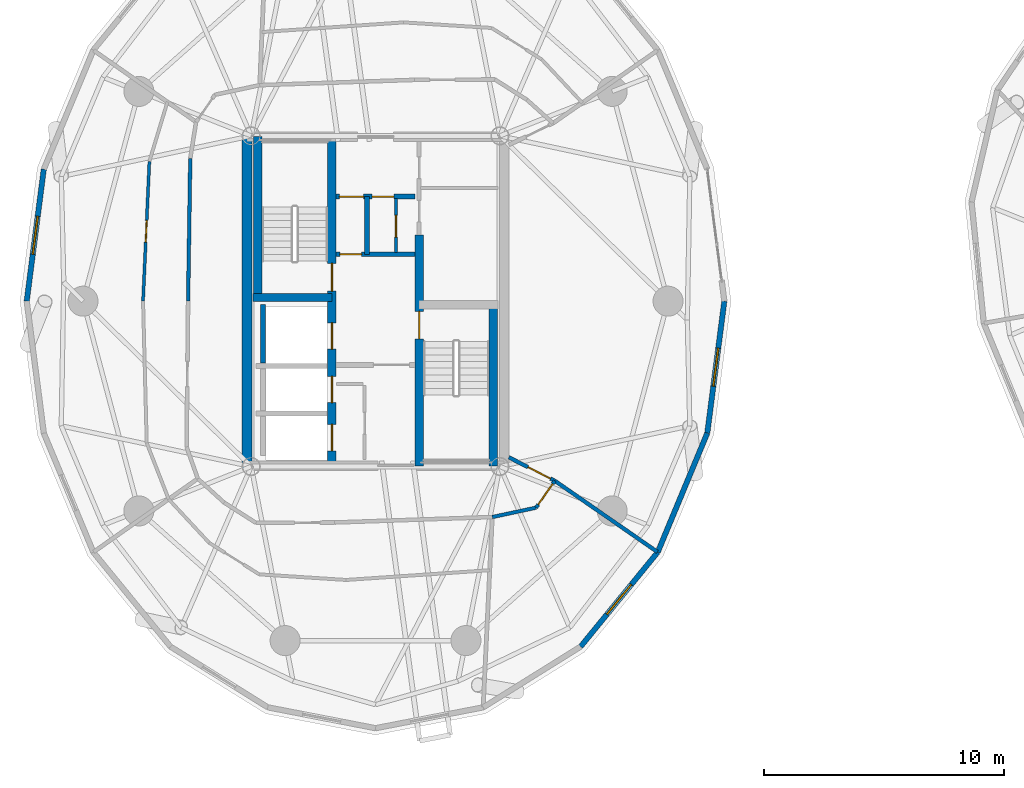
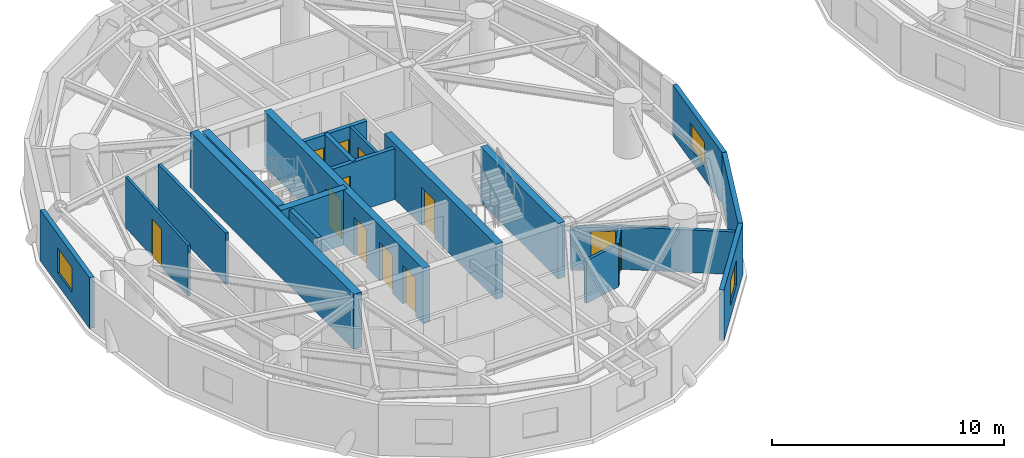
# One storey, part 10 of 17: 21 walls, 12 doors, 3 windows, 15 openings.
"""IFC4 building model written with IfcOpenShell, lengths in metres."""

from ifc_helpers import new_model, si_unit, direction, frame, frame_2d, origin, place, context, subcontext, project, spatial, rectangle, extrude, source, transform, mapped, material, layer, layer_set, type_object, element, fill, save


model = new_model("IFC4")

# Units and contexts
model_context = context("Model", 3, precision=1e-05, world=origin(), true_north=direction((0.0, 1.0)))
body_context = subcontext(model_context, "Body", "Model", "MODEL_VIEW")
ifc_project = project(units=[si_unit("LENGTHUNIT", "METRE"), si_unit("AREAUNIT", "SQUARE_METRE"), si_unit("VOLUMEUNIT", "CUBIC_METRE"), si_unit("PLANEANGLEUNIT", "RADIAN"), si_unit("MASSUNIT", "GRAM", prefix="KILO")], contexts=[model_context])

# Site, building, storey
site_placement = place(None, origin())
site = spatial("IfcSite", under=ifc_project, at=site_placement, CompositionType="ELEMENT")
building_placement = place(site_placement, origin())
building = spatial("IfcBuilding", under=site, at=building_placement, Name="Cununo Teusaquillo Station Towers", CompositionType="ELEMENT")
storey_placement = place(building_placement, frame((0.0, 0.0, 166.14990234375)))
storey = spatial("IfcBuildingStorey", under=building, at=storey_placement, Name="L52", CompositionType="ELEMENT", Elevation=166.14990234375)

# Wall
ifc_material_1 = material(Name="Concrete C50/60", Category="concrete")
ifc_layer_1 = layer(ifc_material_1, 0.199951171875)
ifc_layer_set_1 = layer_set([ifc_layer_1], Name="Concrete C50/60")
wall_type_1 = type_object("IfcWallType", Name="WL-CORE-200", PredefinedType="SHEAR", material=ifc_layer_set_1)
wall_1_placement = place(storey_placement, frame((11.820068359375, 21.919921875, 0.0), z_axis=(0.0, 0.0, 1.0), x_axis=(0.0, 1.0, 0.0)))
element("IfcWall", 1, at=wall_1_placement, inside=storey, type_object=wall_type_1, Name="L52 Tower A Firefighting Lift Shaft Rear Shear Wall", PredefinedType="SHEAR", context=body_context, shape_type="SweptSolid", body=[
    extrude(rectangle(XDim=2.440185546875, YDim=0.199951171875, at=frame_2d((1.22021484375, 0.0))), origin(), (0.0, 0.0, 1.0), 2.91015625),
])

# Wall, openings, doors
ifc_material_2 = material(Name="Concrete C50/60", Category="concrete")
ifc_layer_2 = layer(ifc_material_2, 0.35009765625)
ifc_layer_set_2 = layer_set([ifc_layer_2], Name="Concrete C50/60")
wall_type_2 = type_object("IfcWallType", Name="WL-CORE-350", PredefinedType="SHEAR", material=ifc_layer_set_2)
wall_2_placement = place(storey_placement, frame((14.68505859375, 17.64990234375, 0.0), z_axis=(0.0, 0.0, 1.0), x_axis=(0.0, 1.0, 0.0)))
wall_2 = element("IfcWall", 2, at=wall_2_placement, inside=storey, type_object=wall_type_2, Name="L52 Tower A Core Shear Wall IW", PredefinedType="SHEAR", context=body_context, shape_type="SweptSolid", body=[
    extrude(rectangle(XDim=13.7001953125, YDim=0.35009765625, at=frame_2d((6.85009765625, 0.0))), origin(), (0.0, 0.0, 1.0), 2.91015625),
])
shared_shape_1 = source(origin(), body_context, "Body", "SweptSolid", [
    extrude(rectangle(XDim=1.10009765625, YDim=2.014892578125, at=frame_2d((0.550048828125, 1.00732421875))), frame((0.0, 0.18505859375, 0.0), z_axis=(0.0, -1.0, 0.0), x_axis=(1.0, 0.0, 0.0)), (0.0, 0.0, 1.0), 0.3701171875),
])
opening_1_placement = place(wall_2_placement, frame((4.85009765625, 0.0, 0.0)))
opening_1 = element("IfcOpeningElement", 3, at=opening_1_placement, cuts=wall_2, Name="Opening LD-01", PredefinedType="OPENING", context=body_context, shape_type="MappedRepresentation", body=[
    mapped(shared_shape_1, transform((0.0, 0.0, 0.0), x_axis=(1.0, 0.0, 0.0), y_axis=(0.0, 1.0, 0.0), z_axis=(0.0, 0.0, 1.0), scale=1.0)),
])
opening_2_placement = place(wall_2_placement, frame((0.625, 0.0, 0.0)))
opening_2 = element("IfcOpeningElement", 4, at=opening_2_placement, cuts=wall_2, Name="Opening LD-01", PredefinedType="OPENING", context=body_context, shape_type="MappedRepresentation", body=[
    mapped(shared_shape_1, transform((0.0, 0.0, 0.0), x_axis=(1.0, 0.0, 0.0), y_axis=(0.0, 1.0, 0.0), z_axis=(0.0, 0.0, 1.0), scale=1.0)),
])
opening_3_placement = place(wall_2_placement, frame((2.625, 0.0, 0.0)))
opening_3 = element("IfcOpeningElement", 5, at=opening_3_placement, cuts=wall_2, Name="Opening LD-01", PredefinedType="OPENING", context=body_context, shape_type="MappedRepresentation", body=[
    mapped(shared_shape_1, transform((0.0, 0.0, 0.0), x_axis=(1.0, 0.0, 0.0), y_axis=(0.0, 1.0, 0.0), z_axis=(0.0, 0.0, 1.0), scale=1.0)),
])
shared_shape_2 = source(origin(), body_context, "Body", "SweptSolid", [
    extrude(rectangle(XDim=1.14990234375, YDim=2.02001953125, at=frame_2d((0.574951171875, 1.010009765625))), frame((0.0, 0.18505859375, 0.0), z_axis=(0.0, -1.0, 0.0), x_axis=(1.0, 0.0, 0.0)), (0.0, 0.0, 1.0), 0.3701171875),
])
opening_4_placement = place(wall_2_placement, frame((7.27001953125, 0.0, 0.0)))
opening_4 = element("IfcOpeningElement", 6, at=opening_4_placement, cuts=wall_2, Name="Opening D-ST1", PredefinedType="OPENING", context=body_context, shape_type="MappedRepresentation", body=[
    mapped(shared_shape_2, transform((0.0, 0.0, 0.0), x_axis=(1.0, 0.0, 0.0), y_axis=(0.0, 1.0, 0.0), z_axis=(0.0, 0.0, 1.0), scale=1.0)),
])
ifc_material_3 = material(Name="Galvanised fire-rated hollow steel door assembly", Category="steel")
door_type_1 = type_object("IfcDoorType", Name="DR-LIFT-1100", OperationType="SLIDING_TO_LEFT", PredefinedType="DOOR", material=ifc_material_3)
shared_shape_3 = source(origin(), body_context, "Body", "SweptSolid", [
    extrude(rectangle(XDim=1.10009765625, YDim=2.014892578125, at=frame_2d((0.550048828125, 1.00732421875))), frame((0.0, 0.02490234375, 0.0), z_axis=(0.0, -1.0, 0.0), x_axis=(1.0, 0.0, 0.0)), (0.0, 0.0, 1.0), 0.050048828125),
])
door_1_placement = place(opening_1_placement, origin())
door_1 = element("IfcDoor", 7, at=door_1_placement, inside=storey, type_object=door_type_1, Name="L52 Lift FL-T1 Sliding Landing Door", OperationType="SLIDING_TO_LEFT", OverallHeight=2.014892578125, OverallWidth=1.10009765625, PredefinedType="DOOR", context=body_context, shape_type="MappedRepresentation", body=[
    mapped(shared_shape_3, transform((0.0, 0.0, 0.0), x_axis=(1.0, 0.0, 0.0), y_axis=(0.0, 1.0, 0.0), z_axis=(0.0, 0.0, 1.0), scale=1.0)),
])
fill(opening_1, door_1)
door_2_placement = place(opening_2_placement, origin())
door_2 = element("IfcDoor", 8, at=door_2_placement, inside=storey, type_object=door_type_1, Name="L52 Lift PL-T1-H1 Sliding Landing Door", OperationType="SLIDING_TO_RIGHT", OverallHeight=2.014892578125, OverallWidth=1.10009765625, PredefinedType="DOOR", context=body_context, shape_type="MappedRepresentation", body=[
    mapped(shared_shape_3, transform((0.0, 0.0, 0.0), x_axis=(1.0, 0.0, 0.0), y_axis=(0.0, 1.0, 0.0), z_axis=(0.0, 0.0, 1.0), scale=1.0)),
])
fill(opening_2, door_2)
door_3_placement = place(opening_3_placement, origin())
door_3 = element("IfcDoor", 9, at=door_3_placement, inside=storey, type_object=door_type_1, Name="L52 Lift PL-T1-H2 Sliding Landing Door", OperationType="SLIDING_TO_LEFT", OverallHeight=2.014892578125, OverallWidth=1.10009765625, PredefinedType="DOOR", context=body_context, shape_type="MappedRepresentation", body=[
    mapped(shared_shape_3, transform((0.0, 0.0, 0.0), x_axis=(1.0, 0.0, 0.0), y_axis=(0.0, 1.0, 0.0), z_axis=(0.0, 0.0, 1.0), scale=1.0)),
])
fill(opening_3, door_3)
ifc_material_4 = material(Name="Galvanised fire-rated hollow steel door assembly", Category="steel")
door_type_2 = type_object("IfcDoorType", Name="DR-STAIR-1150", OperationType="NOTDEFINED", PredefinedType="DOOR", material=ifc_material_4)
shared_shape_4 = source(origin(), body_context, "Body", "SweptSolid", [
    extrude(rectangle(XDim=1.14990234375, YDim=2.02001953125, at=frame_2d((0.574951171875, 1.010009765625))), frame((0.0, 0.02490234375, 0.0), z_axis=(0.0, -1.0, 0.0), x_axis=(1.0, 0.0, 0.0)), (0.0, 0.0, 1.0), 0.050048828125),
])
door_4_placement = place(opening_4_placement, origin())
door_4 = element("IfcDoor", 10, at=door_4_placement, inside=storey, type_object=door_type_2, Name="L52 Tower A Exit Stair 1 Fire Door", OperationType="SINGLE_SWING_RIGHT", OverallHeight=2.02001953125, OverallWidth=1.14990234375, PredefinedType="DOOR", context=body_context, shape_type="MappedRepresentation", body=[
    mapped(shared_shape_4, transform((0.0, 0.0, 0.0), x_axis=(1.0, 0.0, 0.0), y_axis=(0.0, 1.0, 0.0), z_axis=(0.0, 0.0, 1.0), scale=1.0)),
])
fill(opening_4, door_4)

# Wall, opening, door
wall_3_placement = place(storey_placement, frame((18.31494140625, 17.64990234375, 0.0), z_axis=(0.0, 0.0, 1.0), x_axis=(0.0, 1.0, 0.0)))
wall_3 = element("IfcWall", 11, at=wall_3_placement, inside=storey, type_object=wall_type_2, Name="L52 Tower A Core Shear Wall IE", PredefinedType="SHEAR", context=body_context, shape_type="SweptSolid", body=[
    extrude(rectangle(XDim=9.60009765625, YDim=0.35009765625, at=frame_2d((4.800048828125, 0.0))), origin(), (0.0, 0.0, 1.0), 2.91015625),
])
opening_5_placement = place(wall_3_placement, frame((5.280029296875, 0.0, 0.0)))
opening_5 = element("IfcOpeningElement", 12, at=opening_5_placement, cuts=wall_3, Name="Opening D-ST1", PredefinedType="OPENING", context=body_context, shape_type="MappedRepresentation", body=[
    mapped(shared_shape_2, transform((0.0, 0.0, 0.0), x_axis=(1.0, 0.0, 0.0), y_axis=(0.0, 1.0, 0.0), z_axis=(0.0, 0.0, 1.0), scale=1.0)),
])
door_5_placement = place(opening_5_placement, origin())
door_5 = element("IfcDoor", 13, at=door_5_placement, inside=storey, type_object=door_type_2, Name="L52 Tower A Exit Stair 2 Fire Door", OperationType="SINGLE_SWING_LEFT", OverallHeight=2.02001953125, OverallWidth=1.14990234375, PredefinedType="DOOR", context=body_context, shape_type="MappedRepresentation", body=[
    mapped(shared_shape_4, transform((0.0, 0.0, 0.0), x_axis=(1.0, 0.0, 0.0), y_axis=(0.0, 1.0, 0.0), z_axis=(0.0, 0.0, 1.0), scale=1.0)),
])
fill(opening_5, door_5)

# Walls
wall_4_placement = place(storey_placement, frame((11.594970703125, 24.655029296875, 0.0), z_axis=(0.0, 0.0, 1.0), x_axis=(0.0, 1.0, 0.0)))
element("IfcWall", 14, at=wall_4_placement, inside=storey, type_object=wall_type_2, Name="L52 Tower A Core Shear Wall ST1W", PredefinedType="SHEAR", context=body_context, shape_type="SweptSolid", body=[
    extrude(rectangle(XDim=6.695068359375, YDim=0.35009765625, at=frame_2d((3.34765625, 0.0))), origin(), (0.0, 0.0, 1.0), 2.91015625),
])
wall_5_placement = place(storey_placement, frame((11.39990234375, 24.655029296875, 0.0), z_axis=(0.0, 0.0, 1.0), x_axis=(1.0, 0.0, 0.0)))
element("IfcWall", 15, at=wall_5_placement, inside=storey, type_object=wall_type_2, Name="L52 Tower A Core Shear Wall ST1S", PredefinedType="SHEAR", context=body_context, shape_type="SweptSolid", body=[
    extrude(rectangle(XDim=3.28515625, YDim=0.35009765625, at=frame_2d((1.642578125, 0.0))), origin(), (0.0, 0.0, 1.0), 2.91015625),
])
wall_6_placement = place(storey_placement, frame((21.405029296875, 17.64990234375, 0.0), z_axis=(0.0, 0.0, 1.0), x_axis=(0.0, 1.0, 0.0)))
element("IfcWall", 16, at=wall_6_placement, inside=storey, type_object=wall_type_2, Name="L52 Tower A Core Shear Wall ST2E", PredefinedType="SHEAR", context=body_context, shape_type="SweptSolid", body=[
    extrude(rectangle(XDim=6.695068359375, YDim=0.35009765625, at=frame_2d((3.34765625, 0.0))), origin(), (0.0, 0.0, 1.0), 2.91015625),
])
ifc_material_5 = material(Name="Concrete C50/60", Category="concrete")
ifc_layer_3 = layer(ifc_material_5, 0.39990234375)
ifc_layer_set_3 = layer_set([ifc_layer_3], Name="Concrete C50/60")
wall_type_3 = type_object("IfcWallType", Name="WL-CORE-400", PredefinedType="SHEAR", material=ifc_layer_set_3)
wall_7_placement = place(storey_placement, frame((11.14990234375, 17.449951171875, 0.0), z_axis=(0.0, 0.0, 1.0), x_axis=(0.0, 1.0, 0.0)))
element("IfcWall", 17, at=wall_7_placement, inside=storey, type_object=wall_type_3, Name="L52 Tower A Core Shear Wall W", PredefinedType="SHEAR", context=body_context, shape_type="SweptSolid", body=[
    extrude(rectangle(XDim=14.10009765625, YDim=0.39990234375, at=frame_2d((7.050048828125, 0.0))), origin(), (0.0, 0.0, 1.0), 2.91015625),
])

# Wall, opening, window
ifc_material_6 = material(Name="Precast concrete C40/50", Category="concrete")
ifc_layer_4 = layer(ifc_material_6, 0.219970703125)
ifc_layer_set_4 = layer_set([ifc_layer_4], Name="Precast concrete C40/50")
wall_type_4 = type_object("IfcWallType", Name="WL-EXT-220", PredefinedType="SOLIDWALL", material=ifc_layer_set_4)
wall_8_placement = place(storey_placement, frame((1.985107421875, 24.5, 0.0), z_axis=(0.0, 0.0, 1.0), x_axis=(0.128266533912, 0.991739732126, 0.0)))
wall_8 = element("IfcWall", 18, at=wall_8_placement, inside=storey, type_object=wall_type_4, Name="L52 Tower A Exterior Facade Wall C09", PredefinedType="SOLIDWALL", context=body_context, shape_type="SweptSolid", body=[
    extrude(rectangle(XDim=5.536865234375, YDim=0.219970703125, at=frame_2d((2.7685546875, 0.0))), origin(), (0.0, 0.0, 1.0), 2.675048828125),
])
shared_shape_5 = source(origin(), body_context, "Body", "SweptSolid", [
    extrude(rectangle(XDim=1.60009765625, YDim=1.300048828125, at=frame_2d((0.800048828125, 0.64990234375))), frame((0.0, 0.119873046875, 0.0), z_axis=(0.0, -1.0, 0.0), x_axis=(1.0, 0.0, 0.0)), (0.0, 0.0, 1.0), 0.239990234375),
])
opening_6_placement = place(wall_8_placement, frame((1.968017578125, 0.0, 0.64990234375)))
opening_6 = element("IfcOpeningElement", 19, at=opening_6_placement, cuts=wall_8, Name="Opening WN-03", PredefinedType="OPENING", context=body_context, shape_type="MappedRepresentation", body=[
    mapped(shared_shape_5, transform((0.0, 0.0, 0.0), x_axis=(1.0, 0.0, 0.0), y_axis=(0.0, 1.0, 0.0), z_axis=(0.0, 0.0, 1.0), scale=1.0)),
])
ifc_material_7 = material(Name="Ceramic-fritted dark low-E double glazing", Category="glass")
window_type = type_object("IfcWindowType", Name="WIN-CORN-1600", PartitioningType="SINGLE_PANEL", PredefinedType="WINDOW", material=ifc_material_7)
shared_shape_6 = source(origin(), body_context, "Body", "SweptSolid", [
    extrude(rectangle(XDim=1.60009765625, YDim=1.300048828125, at=frame_2d((0.800048828125, 0.64990234375))), frame((0.0, 0.030029296875, 0.0), z_axis=(0.0, -1.0, 0.0), x_axis=(1.0, 0.0, 0.0)), (0.0, 0.0, 1.0), 0.06005859375),
])
window_1_placement = place(opening_6_placement, origin())
window_1 = element("IfcWindow", 20, at=window_1_placement, inside=storey, type_object=window_type, Name="L52 Tower A Facade Window C09", OverallHeight=1.300048828125, OverallWidth=1.60009765625, PartitioningType="SINGLE_PANEL", PredefinedType="WINDOW", context=body_context, shape_type="MappedRepresentation", body=[
    mapped(shared_shape_6, transform((0.0, 0.0, 0.0), x_axis=(1.0, 0.0, 0.0), y_axis=(0.0, 1.0, 0.0), z_axis=(0.0, 0.0, 1.0), scale=1.0)),
])
fill(opening_6, window_1)

wall_9_placement = place(storey_placement, frame((28.242919921875, 14.05517578125, 0.0), z_axis=(0.0, 0.0, 1.0), x_axis=(-0.632598524901, -0.774479894053, 0.0)))
wall_9 = element("IfcWall", 21, at=wall_9_placement, inside=storey, type_object=wall_type_4, Name="L52 Tower A Exterior Facade Wall C17", PredefinedType="SOLIDWALL", context=body_context, shape_type="SweptSolid", body=[
    extrude(rectangle(XDim=5.076171875, YDim=0.219970703125, at=frame_2d((2.5380859375, 0.0))), origin(), (0.0, 0.0, 1.0), 2.675048828125),
])
opening_7_placement = place(wall_9_placement, frame((1.738037109375, 0.0, 0.64990234375)))
opening_7 = element("IfcOpeningElement", 22, at=opening_7_placement, cuts=wall_9, Name="Opening WN-03", PredefinedType="OPENING", context=body_context, shape_type="MappedRepresentation", body=[
    mapped(shared_shape_5, transform((0.0, 0.0, 0.0), x_axis=(1.0, 0.0, 0.0), y_axis=(0.0, 1.0, 0.0), z_axis=(0.0, 0.0, 1.0), scale=1.0)),
])
window_2_placement = place(opening_7_placement, origin())
window_2 = element("IfcWindow", 23, at=window_2_placement, inside=storey, type_object=window_type, Name="L52 Tower A Facade Window C17", OverallHeight=1.300048828125, OverallWidth=1.60009765625, PartitioningType="SINGLE_PANEL", PredefinedType="WINDOW", context=body_context, shape_type="MappedRepresentation", body=[
    mapped(shared_shape_6, transform((0.0, 0.0, 0.0), x_axis=(1.0, 0.0, 0.0), y_axis=(0.0, 1.0, 0.0), z_axis=(0.0, 0.0, 1.0), scale=1.0)),
])
fill(opening_7, window_2)

# Wall
wall_10_placement = place(storey_placement, frame((30.3046875, 19.0087890625, 0.0), z_axis=(0.0, 0.0, 1.0), x_axis=(-0.384259959969, -0.923224936386, 0.0)))
element("IfcWall", 24, at=wall_10_placement, inside=storey, type_object=wall_type_4, Name="L52 Tower A Exterior Facade Wall C18", PredefinedType="SOLIDWALL", context=body_context, shape_type="SweptSolid", body=[
    extrude(rectangle(XDim=5.365478515625, YDim=0.219970703125, at=frame_2d((2.6826171875, 0.0))), origin(), (0.0, 0.0, 1.0), 2.675048828125),
])

# Wall, opening, window
wall_11_placement = place(storey_placement, frame((31.014892578125, 24.5, 0.0), z_axis=(0.0, 0.0, 1.0), x_axis=(-0.128266533912, -0.991739732126, 0.0)))
wall_11 = element("IfcWall", 25, at=wall_11_placement, inside=storey, type_object=wall_type_4, Name="L52 Tower A Exterior Facade Wall C19", PredefinedType="SOLIDWALL", context=body_context, shape_type="SweptSolid", body=[
    extrude(rectangle(XDim=5.536865234375, YDim=0.219970703125, at=frame_2d((2.7685546875, 0.0))), origin(), (0.0, 0.0, 1.0), 2.675048828125),
])
opening_8_placement = place(wall_11_placement, frame((1.968017578125, 0.0, 0.64990234375)))
opening_8 = element("IfcOpeningElement", 26, at=opening_8_placement, cuts=wall_11, Name="Opening WN-03", PredefinedType="OPENING", context=body_context, shape_type="MappedRepresentation", body=[
    mapped(shared_shape_5, transform((0.0, 0.0, 0.0), x_axis=(1.0, 0.0, 0.0), y_axis=(0.0, 1.0, 0.0), z_axis=(0.0, 0.0, 1.0), scale=1.0)),
])
window_3_placement = place(opening_8_placement, origin())
window_3 = element("IfcWindow", 27, at=window_3_placement, inside=storey, type_object=window_type, Name="L52 Tower A Facade Window C19", OverallHeight=1.300048828125, OverallWidth=1.60009765625, PartitioningType="SINGLE_PANEL", PredefinedType="WINDOW", context=body_context, shape_type="MappedRepresentation", body=[
    mapped(shared_shape_6, transform((0.0, 0.0, 0.0), x_axis=(1.0, 0.0, 0.0), y_axis=(0.0, 1.0, 0.0), z_axis=(0.0, 0.0, 1.0), scale=1.0)),
])
fill(opening_8, window_3)

# Wall, opening, door
ifc_material_8 = material(Name="Fire-rated gypsum plasterboard partition assembly", Category="gypsum")
ifc_layer_5 = layer(ifc_material_8, 0.125)
ifc_layer_set_5 = layer_set([ifc_layer_5], Name="Fire-rated gypsum plasterboard partition assembly")
wall_type_5 = type_object("IfcWallType", Name="WL-PART-125", PredefinedType="PARTITIONING", material=ifc_layer_set_5)
wall_12_placement = place(storey_placement, frame((17.35009765625, 26.52001953125, 0.0), z_axis=(0.0, 0.0, 1.0), x_axis=(0.0, 1.0, 0.0)))
wall_12 = element("IfcWall", 28, at=wall_12_placement, inside=storey, type_object=wall_type_5, Name="L52 Tower A Core Vertical Split Wall", PredefinedType="PARTITIONING", context=body_context, shape_type="SweptSolid", body=[
    extrude(rectangle(XDim=2.260009765625, YDim=0.125, at=frame_2d((1.1298828125, 0.0))), origin(), (0.0, 0.0, 1.0), 2.675048828125),
])
shared_shape_7 = source(origin(), body_context, "Body", "SweptSolid", [
    extrude(rectangle(XDim=0.89990234375, YDim=2.0048828125, at=frame_2d((0.449951171875, 1.00244140625))), frame((0.0, 0.072509765625, 0.0), z_axis=(0.0, -1.0, 0.0), x_axis=(1.0, 0.0, 0.0)), (0.0, 0.0, 1.0), 0.14501953125),
])
opening_9_placement = place(wall_12_placement, frame((0.64990234375, 0.0, 0.0)))
opening_9 = element("IfcOpeningElement", 29, at=opening_9_placement, cuts=wall_12, Name="Opening D-SR1", PredefinedType="OPENING", context=body_context, shape_type="MappedRepresentation", body=[
    mapped(shared_shape_7, transform((0.0, 0.0, 0.0), x_axis=(1.0, 0.0, 0.0), y_axis=(0.0, 1.0, 0.0), z_axis=(0.0, 0.0, 1.0), scale=1.0)),
])
ifc_material_9 = material(Name="Galvanised fire-rated hollow steel door assembly", Category="steel")
door_type_3 = type_object("IfcDoorType", Name="DR-STORE-900", OperationType="NOTDEFINED", PredefinedType="DOOR", material=ifc_material_9)
shared_shape_8 = source(origin(), body_context, "Body", "SweptSolid", [
    extrude(rectangle(XDim=0.89990234375, YDim=2.0048828125, at=frame_2d((0.449951171875, 1.00244140625))), frame((0.0, 0.02490234375, 0.0), z_axis=(0.0, -1.0, 0.0), x_axis=(1.0, 0.0, 0.0)), (0.0, 0.0, 1.0), 0.050048828125),
])
door_6_placement = place(opening_9_placement, origin())
door_6 = element("IfcDoor", 30, at=door_6_placement, inside=storey, type_object=door_type_3, Name="L52 Tower A Core Electrical Room Door", OperationType="SINGLE_SWING_RIGHT", OverallHeight=2.0048828125, OverallWidth=0.89990234375, PredefinedType="DOOR", context=body_context, shape_type="MappedRepresentation", body=[
    mapped(shared_shape_8, transform((0.0, 0.0, 0.0), x_axis=(1.0, 0.0, 0.0), y_axis=(0.0, 1.0, 0.0), z_axis=(0.0, 0.0, 1.0), scale=1.0)),
])
fill(opening_9, door_6)

wall_13_placement = place(storey_placement, frame((7.08935546875, 30.317138671875, 0.0), z_axis=(0.0, 0.0, 1.0), x_axis=(-0.045322079706, -0.998972426592, 0.0)))
wall_13 = element("IfcWall", 31, at=wall_13_placement, inside=storey, type_object=wall_type_5, Name="L52 Tower A Sabana Wellness & Spa Lounge Concentric Partition Wall C09", PredefinedType="PARTITIONING", context=body_context, shape_type="SweptSolid", body=[
    extrude(rectangle(XDim=5.8232421875, YDim=0.125, at=frame_2d((2.91162109375, 0.0))), origin(), (0.0, 0.0, 1.0), 2.675048828125),
])
opening_10_placement = place(wall_13_placement, frame((2.461669921875, 0.0, 0.0)))
opening_10 = element("IfcOpeningElement", 32, at=opening_10_placement, cuts=wall_13, Name="Opening D-IN1", PredefinedType="OPENING", context=body_context, shape_type="MappedRepresentation", body=[
    mapped(shared_shape_7, transform((0.0, 0.0, 0.0), x_axis=(1.0, 0.0, 0.0), y_axis=(0.0, 1.0, 0.0), z_axis=(0.0, 0.0, 1.0), scale=1.0)),
])
ifc_material_10 = material(Name="Acoustic solid-core hardwood leaf assembly", Category="wood")
door_type_4 = type_object("IfcDoorType", Name="DR-INT-900", OperationType="NOTDEFINED", PredefinedType="DOOR", material=ifc_material_10)
door_7_placement = place(opening_10_placement, origin())
door_7 = element("IfcDoor", 33, at=door_7_placement, inside=storey, type_object=door_type_4, Name="L52 Tower A Sabana Wellness & Spa Lounge Connecting Door", OperationType="SINGLE_SWING_LEFT", OverallHeight=2.0048828125, OverallWidth=0.89990234375, PredefinedType="DOOR", context=body_context, shape_type="MappedRepresentation", body=[
    mapped(shared_shape_8, transform((0.0, 0.0, 0.0), x_axis=(1.0, 0.0, 0.0), y_axis=(0.0, 1.0, 0.0), z_axis=(0.0, 0.0, 1.0), scale=1.0)),
])
fill(opening_10, door_7)

# Walls
ifc_material_11 = material(Name="Fire-rated gypsum plasterboard partition assembly", Category="gypsum")
ifc_layer_6 = layer(ifc_material_11, 0.14990234375)
ifc_layer_set_6 = layer_set([ifc_layer_6], Name="Fire-rated gypsum plasterboard partition assembly")
wall_type_6 = type_object("IfcWallType", Name="WL-PART-150", PredefinedType="PARTITIONING", material=ifc_layer_set_6)
wall_14_placement = place(storey_placement, frame((8.79052734375, 30.4462890625, 0.0), z_axis=(0.0, 0.0, 1.0), x_axis=(-0.015230619426, -0.999884007389, 0.0)))
element("IfcWall", 34, at=wall_14_placement, inside=storey, type_object=wall_type_6, Name="L52 Tower A Corridor Ring Wall C09", PredefinedType="PARTITIONING", context=body_context, shape_type="SweptSolid", body=[
    extrude(rectangle(XDim=5.947021484375, YDim=0.14990234375, at=frame_2d((2.9736328125, 0.0))), origin(), (0.0, 0.0, 1.0), 2.675048828125),
])
wall_15_placement = place(storey_placement, frame((21.357177734375, 15.5166015625, 0.0), z_axis=(0.0, 0.0, 1.0), x_axis=(0.977773676035, 0.209663154733, 0.0)))
element("IfcWall", 35, at=wall_15_placement, inside=storey, type_object=wall_type_6, Name="L52 Tower A Corridor Ring Wall C16", PredefinedType="PARTITIONING", context=body_context, shape_type="SweptSolid", body=[
    extrude(rectangle(XDim=1.865478515625, YDim=0.14990234375, at=frame_2d((0.9326171875, 0.0))), origin(), (0.0, 0.0, 1.0), 2.2451171875),
])

# Wall, opening, door
wall_16_placement = place(storey_placement, frame((23.18115234375, 15.90771484375, 0.0), z_axis=(0.0, 0.0, 1.0), x_axis=(0.571342842249, 0.820711494138, 0.0)))
wall_16 = element("IfcWall", 36, at=wall_16_placement, inside=storey, type_object=wall_type_6, Name="L52 Tower A Corridor Ring Wall C17", PredefinedType="PARTITIONING", context=body_context, shape_type="SweptSolid", body=[
    extrude(rectangle(XDim=1.36181640625, YDim=0.14990234375, at=frame_2d((0.680908203125, 0.0))), origin(), (0.0, 0.0, 1.0), 2.2451171875),
])
shared_shape_9 = source(origin(), body_context, "Body", "SweptSolid", [
    extrude(rectangle(XDim=1.050048828125, YDim=2.014892578125, at=frame_2d((0.52490234375, 1.00732421875))), frame((0.0, 0.0849609375, 0.0), z_axis=(0.0, -1.0, 0.0), x_axis=(1.0, 0.0, 0.0)), (0.0, 0.0, 1.0), 0.169921875),
])
opening_11_placement = place(wall_16_placement, frame((0.156005859375, 0.0, 0.0)))
opening_11 = element("IfcOpeningElement", 37, at=opening_11_placement, cuts=wall_16, Name="Opening D-SU1", PredefinedType="OPENING", context=body_context, shape_type="MappedRepresentation", body=[
    mapped(shared_shape_9, transform((0.0, 0.0, 0.0), x_axis=(1.0, 0.0, 0.0), y_axis=(0.0, 1.0, 0.0), z_axis=(0.0, 0.0, 1.0), scale=1.0)),
])
ifc_material_12 = material(Name="Acoustic solid-core hardwood leaf assembly", Category="wood")
door_type_5 = type_object("IfcDoorType", Name="DR-SUITE-1050", OperationType="NOTDEFINED", PredefinedType="DOOR", material=ifc_material_12)
shared_shape_10 = source(origin(), body_context, "Body", "SweptSolid", [
    extrude(rectangle(XDim=1.050048828125, YDim=2.014892578125, at=frame_2d((0.52490234375, 1.00732421875))), frame((0.0, 0.02490234375, 0.0), z_axis=(0.0, -1.0, 0.0), x_axis=(1.0, 0.0, 0.0)), (0.0, 0.0, 1.0), 0.050048828125),
])
door_8_placement = place(opening_11_placement, origin())
door_8 = element("IfcDoor", 38, at=door_8_placement, inside=storey, type_object=door_type_5, Name="L52 Tower A Hotel Housekeeping & Linen Pantry Entrance Door", OperationType="SINGLE_SWING_RIGHT", OverallHeight=2.014892578125, OverallWidth=1.050048828125, PredefinedType="DOOR", context=body_context, shape_type="MappedRepresentation", body=[
    mapped(shared_shape_10, transform((0.0, 0.0, 0.0), x_axis=(1.0, 0.0, 0.0), y_axis=(0.0, 1.0, 0.0), z_axis=(0.0, 0.0, 1.0), scale=1.0)),
])
fill(opening_11, door_8)

# Wall
ifc_material_13 = material(Name="Fire-rated gypsum plasterboard partition assembly", Category="gypsum")
ifc_layer_7 = layer(ifc_material_13, 0.159912109375)
ifc_layer_set_7 = layer_set([ifc_layer_7], Name="Fire-rated gypsum plasterboard partition assembly")
wall_type_7 = type_object("IfcWallType", Name="WL-PART-160", PredefinedType="PARTITIONING", material=ifc_layer_set_7)
wall_17_placement = place(storey_placement, frame((23.959228515625, 17.025390625, 0.0), z_axis=(0.0, 0.0, 1.0), x_axis=(0.821829818265, -0.569733051358, 0.0)))
element("IfcWall", 39, at=wall_17_placement, inside=storey, type_object=wall_type_7, Name="L52 Tower A Radial Suite Partition R06", PredefinedType="PARTITIONING", context=body_context, shape_type="SweptSolid", body=[
    extrude(rectangle(XDim=5.19287109375, YDim=0.159912109375, at=frame_2d((2.596435546875, 0.0))), origin(), (0.0, 0.0, 1.0), 2.2451171875),
])

# Wall, opening, door
wall_18_placement = place(storey_placement, frame((22.050048828125, 18.0, 0.0), z_axis=(0.0, 0.0, 1.0), x_axis=(0.890660222535, -0.454669515136, 0.0)))
wall_18 = element("IfcWall", 40, at=wall_18_placement, inside=storey, type_object=wall_type_7, Name="L52 Tower A East Salon Corridor Portal Wall SE", PredefinedType="PARTITIONING", context=body_context, shape_type="SweptSolid", body=[
    extrude(rectangle(XDim=2.1435546875, YDim=0.159912109375, at=frame_2d((1.07177734375, 0.0))), origin(), (0.0, 0.0, 1.0), 2.2451171875),
])
shared_shape_11 = source(origin(), body_context, "Body", "SweptSolid", [
    extrude(rectangle(XDim=1.050048828125, YDim=2.014892578125, at=frame_2d((0.52490234375, 1.00732421875))), frame((0.0, 0.08984375, 0.0), z_axis=(0.0, -1.0, 0.0), x_axis=(1.0, 0.0, 0.0)), (0.0, 0.0, 1.0), 0.179931640625),
])
opening_12_placement = place(wall_18_placement, frame((0.8935546875, 0.0, 0.0)))
opening_12 = element("IfcOpeningElement", 41, at=opening_12_placement, cuts=wall_18, Name="Opening D-SU1", PredefinedType="OPENING", context=body_context, shape_type="MappedRepresentation", body=[
    mapped(shared_shape_11, transform((0.0, 0.0, 0.0), x_axis=(1.0, 0.0, 0.0), y_axis=(0.0, 1.0, 0.0), z_axis=(0.0, 0.0, 1.0), scale=1.0)),
])
door_9_placement = place(opening_12_placement, origin())
door_9 = element("IfcDoor", 42, at=door_9_placement, inside=storey, type_object=door_type_5, Name="L52 Tower A East Panorama Sky Salon Door SE", OperationType="SINGLE_SWING_RIGHT", OverallHeight=2.014892578125, OverallWidth=1.050048828125, PredefinedType="DOOR", context=body_context, shape_type="MappedRepresentation", body=[
    mapped(shared_shape_10, transform((0.0, 0.0, 0.0), x_axis=(1.0, 0.0, 0.0), y_axis=(0.0, 1.0, 0.0), z_axis=(0.0, 0.0, 1.0), scale=1.0)),
])
fill(opening_12, door_9)

ifc_material_14 = material(Name="Fire-rated gypsum plasterboard partition assembly", Category="gypsum")
ifc_layer_8 = layer(ifc_material_14, 0.199951171875)
ifc_layer_set_8 = layer_set([ifc_layer_8], Name="Fire-rated gypsum plasterboard partition assembly")
wall_type_8 = type_object("IfcWallType", Name="WL-PART-200", PredefinedType="PARTITIONING", material=ifc_layer_set_8)
wall_19_placement = place(storey_placement, frame((14.860107421875, 26.449951171875, 0.0), z_axis=(0.0, 0.0, 1.0), x_axis=(1.0, 0.0, 0.0)))
wall_19 = element("IfcWall", 43, at=wall_19_placement, inside=storey, type_object=wall_type_8, Name="L52 Tower A Firefighting Lift Lobby North Fire Wall", PredefinedType="PARTITIONING", context=body_context, shape_type="SweptSolid", body=[
    extrude(rectangle(XDim=3.27978515625, YDim=0.199951171875, at=frame_2d((1.639892578125, 0.0))), origin(), (0.0, 0.0, 1.0), 2.675048828125),
])
shared_shape_12 = source(origin(), body_context, "Body", "SweptSolid", [
    extrude(rectangle(XDim=0.89990234375, YDim=2.0048828125, at=frame_2d((0.449951171875, 1.00244140625))), frame((0.0, 0.10986328125, 0.0), z_axis=(0.0, -1.0, 0.0), x_axis=(1.0, 0.0, 0.0)), (0.0, 0.0, 1.0), 0.219970703125),
])
opening_13_placement = place(wall_19_placement, frame((0.159912109375, 0.0, 0.0)))
opening_13 = element("IfcOpeningElement", 44, at=opening_13_placement, cuts=wall_19, Name="Opening D-SR1", PredefinedType="OPENING", context=body_context, shape_type="MappedRepresentation", body=[
    mapped(shared_shape_12, transform((0.0, 0.0, 0.0), x_axis=(1.0, 0.0, 0.0), y_axis=(0.0, 1.0, 0.0), z_axis=(0.0, 0.0, 1.0), scale=1.0)),
])
door_10_placement = place(opening_13_placement, origin())
door_10 = element("IfcDoor", 45, at=door_10_placement, inside=storey, type_object=door_type_3, Name="L52 Tower A Stair 1 Protected Vestibule South Door", OperationType="SINGLE_SWING_RIGHT", OverallHeight=2.0048828125, OverallWidth=0.89990234375, PredefinedType="DOOR", context=body_context, shape_type="MappedRepresentation", body=[
    mapped(shared_shape_8, transform((0.0, 0.0, 0.0), x_axis=(1.0, 0.0, 0.0), y_axis=(0.0, 1.0, 0.0), z_axis=(0.0, 0.0, 1.0), scale=1.0)),
])
fill(opening_13, door_10)

# Wall
wall_20_placement = place(storey_placement, frame((16.14990234375, 26.449951171875, 0.0), z_axis=(0.0, 0.0, 1.0), x_axis=(0.0, 1.0, 0.0)))
element("IfcWall", 46, at=wall_20_placement, inside=storey, type_object=wall_type_8, Name="L52 Tower A Stair 1 Vestibule Partition Wall", PredefinedType="PARTITIONING", context=body_context, shape_type="SweptSolid", body=[
    extrude(rectangle(XDim=2.400146484375, YDim=0.199951171875, at=frame_2d((1.2001953125, 0.0))), origin(), (0.0, 0.0, 1.0), 2.675048828125),
])

# Wall, openings, doors
wall_21_placement = place(storey_placement, frame((14.860107421875, 28.85009765625, 0.0), z_axis=(0.0, 0.0, 1.0), x_axis=(1.0, 0.0, 0.0)))
wall_21 = element("IfcWall", 47, at=wall_21_placement, inside=storey, type_object=wall_type_8, Name="L52 Tower A North Lift Lobby South Fire Wall", PredefinedType="PARTITIONING", context=body_context, shape_type="SweptSolid", body=[
    extrude(rectangle(XDim=3.27978515625, YDim=0.199951171875, at=frame_2d((1.639892578125, 0.0))), origin(), (0.0, 0.0, 1.0), 2.675048828125),
])
shared_shape_13 = source(origin(), body_context, "Body", "SweptSolid", [
    extrude(rectangle(XDim=1.0, YDim=2.014892578125, at=frame_2d((0.5, 1.00732421875))), frame((0.0, 0.10986328125, 0.0), z_axis=(0.0, -1.0, 0.0), x_axis=(1.0, 0.0, 0.0)), (0.0, 0.0, 1.0), 0.219970703125),
])
opening_14_placement = place(wall_21_placement, frame((0.139892578125, 0.0, 0.0)))
opening_14 = element("IfcOpeningElement", 48, at=opening_14_placement, cuts=wall_21, Name="Opening D-AC1", PredefinedType="OPENING", context=body_context, shape_type="MappedRepresentation", body=[
    mapped(shared_shape_13, transform((0.0, 0.0, 0.0), x_axis=(1.0, 0.0, 0.0), y_axis=(0.0, 1.0, 0.0), z_axis=(0.0, 0.0, 1.0), scale=1.0)),
])
opening_15_placement = place(wall_21_placement, frame((1.5, 0.0, 0.0)))
opening_15 = element("IfcOpeningElement", 49, at=opening_15_placement, cuts=wall_21, Name="Opening D-SR1", PredefinedType="OPENING", context=body_context, shape_type="MappedRepresentation", body=[
    mapped(shared_shape_12, transform((0.0, 0.0, 0.0), x_axis=(1.0, 0.0, 0.0), y_axis=(0.0, 1.0, 0.0), z_axis=(0.0, 0.0, 1.0), scale=1.0)),
])
door_11_placement = place(opening_15_placement, origin())
door_11 = element("IfcDoor", 50, at=door_11_placement, inside=storey, type_object=door_type_3, Name="L52 Tower A Core Housekeeping Store Door", OperationType="SINGLE_SWING_LEFT", OverallHeight=2.0048828125, OverallWidth=0.89990234375, PredefinedType="DOOR", context=body_context, shape_type="MappedRepresentation", body=[
    mapped(shared_shape_8, transform((0.0, 0.0, 0.0), x_axis=(1.0, 0.0, 0.0), y_axis=(0.0, 1.0, 0.0), z_axis=(0.0, 0.0, 1.0), scale=1.0)),
])
fill(opening_15, door_11)
ifc_material_15 = material(Name="Acoustic solid-core hardwood leaf assembly", Category="wood")
door_type_6 = type_object("IfcDoorType", Name="DR-ACC-1000", OperationType="NOTDEFINED", PredefinedType="DOOR", material=ifc_material_15)
shared_shape_14 = source(origin(), body_context, "Body", "SweptSolid", [
    extrude(rectangle(XDim=1.0, YDim=2.014892578125, at=frame_2d((0.5, 1.00732421875))), frame((0.0, 0.02490234375, 0.0), z_axis=(0.0, -1.0, 0.0), x_axis=(1.0, 0.0, 0.0)), (0.0, 0.0, 1.0), 0.050048828125),
])
door_12_placement = place(opening_14_placement, origin())
door_12 = element("IfcDoor", 51, at=door_12_placement, inside=storey, type_object=door_type_6, Name="L52 Tower A North Lift Lobby to Stair 1 Vestibule Door", OperationType="SINGLE_SWING_LEFT", OverallHeight=2.014892578125, OverallWidth=1.0, PredefinedType="DOOR", context=body_context, shape_type="MappedRepresentation", body=[
    mapped(shared_shape_14, transform((0.0, 0.0, 0.0), x_axis=(1.0, 0.0, 0.0), y_axis=(0.0, 1.0, 0.0), z_axis=(0.0, 0.0, 1.0), scale=1.0)),
])
fill(opening_14, door_12)

save(model, "model.ifc")
